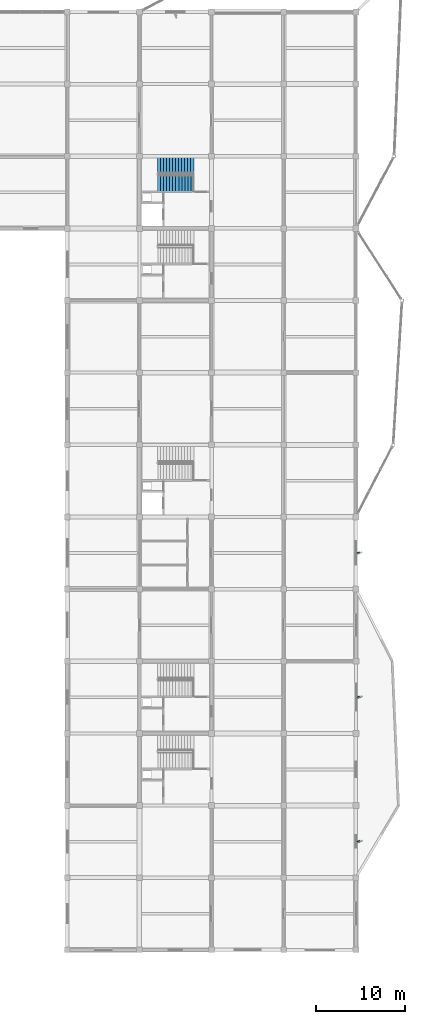
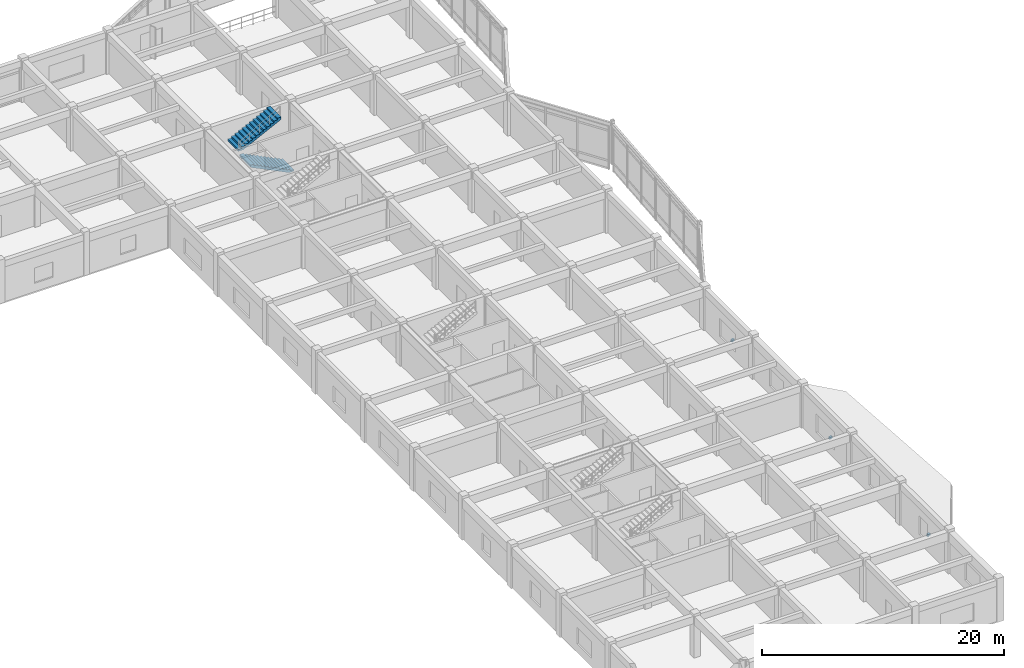
# One storey, part 36 of 42: 3 discrete accessories, 2 stair flights, 1 element without a shape of its own.
"""IFC4 building model written with IfcOpenShell, lengths in metres."""

from ifc_helpers import new_model, si_unit, direction, frame, origin, origin_2d, place, context, subcontext, project, spatial, polyline, rectangle, outline, extrude, material, type_object, element, aggregate, save


model = new_model("IFC4")

# Units and contexts
model_context = context("Model", 3, precision=1e-05, world=origin(), true_north=direction((0.0, 1.0)))
body_context = subcontext(model_context, "Body", "Model", "MODEL_VIEW")
ifc_project = project(units=[si_unit("LENGTHUNIT", "METRE"), si_unit("AREAUNIT", "SQUARE_METRE"), si_unit("VOLUMEUNIT", "CUBIC_METRE"), si_unit("PLANEANGLEUNIT", "RADIAN"), si_unit("MASSUNIT", "GRAM", prefix="KILO")], contexts=[model_context])

# Site, building, storey
site_placement = place(None, origin())
site = spatial("IfcSite", under=ifc_project, at=site_placement, CompositionType="ELEMENT")
building_placement = place(site_placement, origin())
building = spatial("IfcBuilding", under=site, at=building_placement, Name="Vaudrelin Polytechnic", CompositionType="ELEMENT")
storey_placement = place(building_placement, frame((0.0, 0.0, 18.530029296875)))
storey = spatial("IfcBuildingStorey", under=building, at=storey_placement, Name="L04", CompositionType="ELEMENT", Elevation=18.530029296875)

# Stair, stair flights
ifc_material_1 = material(Name="Concrete 35 MPa", Category="concrete")
stair_type = type_object("IfcStairType", Name="STR-ST-CORE", PredefinedType="TWO_STRAIGHT_RUN_STAIR", material=ifc_material_1)
stair_placement = place(storey_placement, origin())
stair = element("IfcStair", 1, at=stair_placement, inside=storey, type_object=stair_type, Name="Exit stair ST-06-L04", PredefinedType="TWO_STRAIGHT_RUN_STAIR")
stair_flight_type = type_object("IfcStairFlightType", Name="STF-STF-CORE", PredefinedType="STRAIGHT", material=ifc_material_1)
stair_flight_1_placement = place(storey_placement, frame((151.93994140625, 102.27001953125, 0.0), z_axis=(0.0, 0.0, 1.0), x_axis=(-1.0, 0.0, 0.0)))
stair_flight_1 = element("IfcStairFlight", 2, at=stair_flight_1_placement, type_object=stair_flight_type, Name="ST-06-L04 flight 1", NumberOfRisers=13, NumberOfTreads=12, PredefinedType="STRAIGHT", RiserHeight=0.17, TreadLength=0.34417, context=body_context, shape_type="SweptSolid", body=[
    extrude(outline(polyline([(0.0, 0.0), (0.0, 0.169921875), (0.34423828125, 0.169921875), (0.34423828125, 0.340087890625), (0.688232421875, 0.340087890625), (0.688232421875, 0.510009765625), (1.032470703125, 0.510009765625), (1.032470703125, 0.679931640625), (1.376708984375, 0.679931640625), (1.376708984375, 0.85009765625), (1.720947265625, 0.85009765625), (1.720947265625, 1.02001953125), (2.06494140625, 1.02001953125), (2.06494140625, 1.18994140625), (2.4091796875, 1.18994140625), (2.4091796875, 1.360107421875), (2.75341796875, 1.360107421875), (2.75341796875, 1.530029296875), (3.097412109375, 1.530029296875), (3.097412109375, 1.699951171875), (3.441650390625, 1.699951171875), (3.441650390625, 1.8701171875), (3.785888671875, 1.8701171875), (3.785888671875, 2.0400390625), (4.130126953125, 2.0400390625), (4.130126953125, 2.2099609375), (4.130126953125, 1.81689453125), (0.451416015625, 0.0), (0.0, 0.0)])), frame((0.0, 0.91015625, 0.0), z_axis=(0.0, -1.0, 0.0), x_axis=(1.0, 0.0, 0.0)), (0.0, 0.0, 1.0), 1.820068359375),
])
stair_flight_2_placement = place(storey_placement, frame((147.81005859375, 104.2900390625, 2.2099609375), z_axis=(0.0, 0.0, 1.0), x_axis=(1.0, 0.0, 0.0)))
stair_flight_2 = element("IfcStairFlight", 3, at=stair_flight_2_placement, type_object=stair_flight_type, Name="ST-06-L04 flight 2", NumberOfRisers=13, NumberOfTreads=12, PredefinedType="STRAIGHT", RiserHeight=0.17, TreadLength=0.34083, context=body_context, shape_type="SweptSolid", body=[
    extrude(outline(polyline([(0.0, 0.0), (0.0, 0.169921875), (0.3408203125, 0.169921875), (0.3408203125, 0.340087890625), (0.681640625, 0.340087890625), (0.681640625, 0.510009765625), (1.0224609375, 0.510009765625), (1.0224609375, 0.679931640625), (1.36328125, 0.679931640625), (1.36328125, 0.85009765625), (1.7041015625, 0.85009765625), (1.7041015625, 1.02001953125), (2.044921875, 1.02001953125), (2.044921875, 1.18994140625), (2.3857421875, 1.18994140625), (2.3857421875, 1.360107421875), (2.7265625, 1.360107421875), (2.7265625, 1.530029296875), (3.0673828125, 1.530029296875), (3.0673828125, 1.699951171875), (3.408203125, 1.699951171875), (3.408203125, 1.8701171875), (3.7490234375, 1.8701171875), (3.7490234375, 2.0400390625), (4.08984375, 2.0400390625), (4.08984375, 2.2099609375), (4.08984375, 1.816650390625), (0.447998046875, 0.0), (0.0, 0.0)])), frame((0.0, 0.91015625, 0.0), z_axis=(0.0, -1.0, 0.0), x_axis=(1.0, 0.0, 0.0)), (0.0, 0.0, 1.0), 1.820068359375),
])
aggregate(stair, [stair_flight_1, stair_flight_2])

# Discrete accessories
ifc_material_2 = material(Name="Galvanised steel CSA G40.21 350W", Category="steel")
discrete_accessory_type = type_object("IfcDiscreteAccessoryType", Name="ENV-BRK-01", PredefinedType="BRACKET", material=ifc_material_2)
for number, where, z_axis, x_axis, name in (
    (4, (170.39501953125, 28.35009765625, 0.98974609375), (0.0, 0.0, 1.0), (0.927183854567, 0.374606593416, 0.0), "Solar fin support bracket BRK-035"),
    (5, (170.39501953125, 44.550048828125, 0.98974609375), (0.0, 0.0, 1.0), (0.927183854567, 0.374606593416, 0.0), "Solar fin support bracket BRK-036"),
    (6, (170.39501953125, 60.75, 0.98974609375), (0.0, 0.0, 1.0), (0.927183854567, 0.374606593416, 0.0), "Solar fin support bracket BRK-037"),
):
    element("IfcDiscreteAccessory", number, at=place(storey_placement, frame(where, z_axis=z_axis, x_axis=x_axis)), inside=storey, type_object=discrete_accessory_type, Name=name, PredefinedType="BRACKET", context=body_context, shape_type="SweptSolid", body=[
        extrude(rectangle(XDim=0.300048828125, YDim=0.179931640625, at=origin_2d()), origin(), (0.0, 0.0, 1.0), 0.219970703125),
    ])

save(model, "model.ifc")
